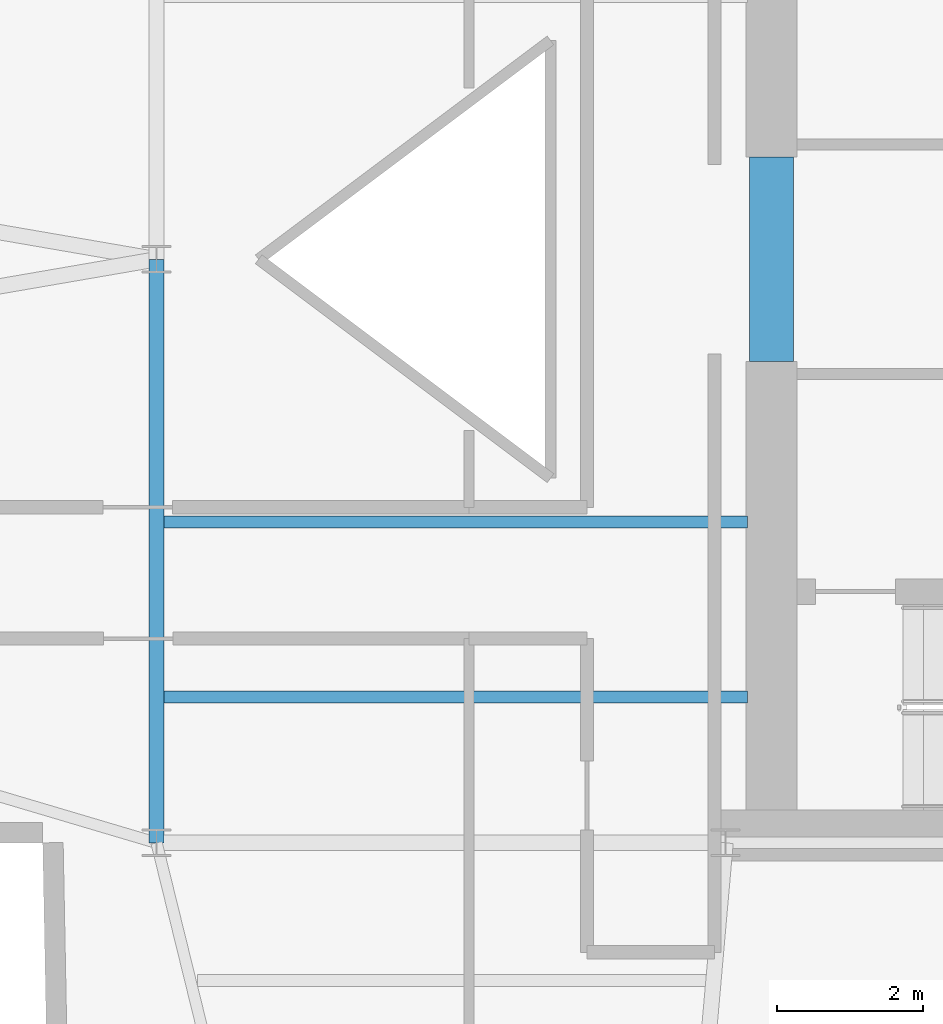
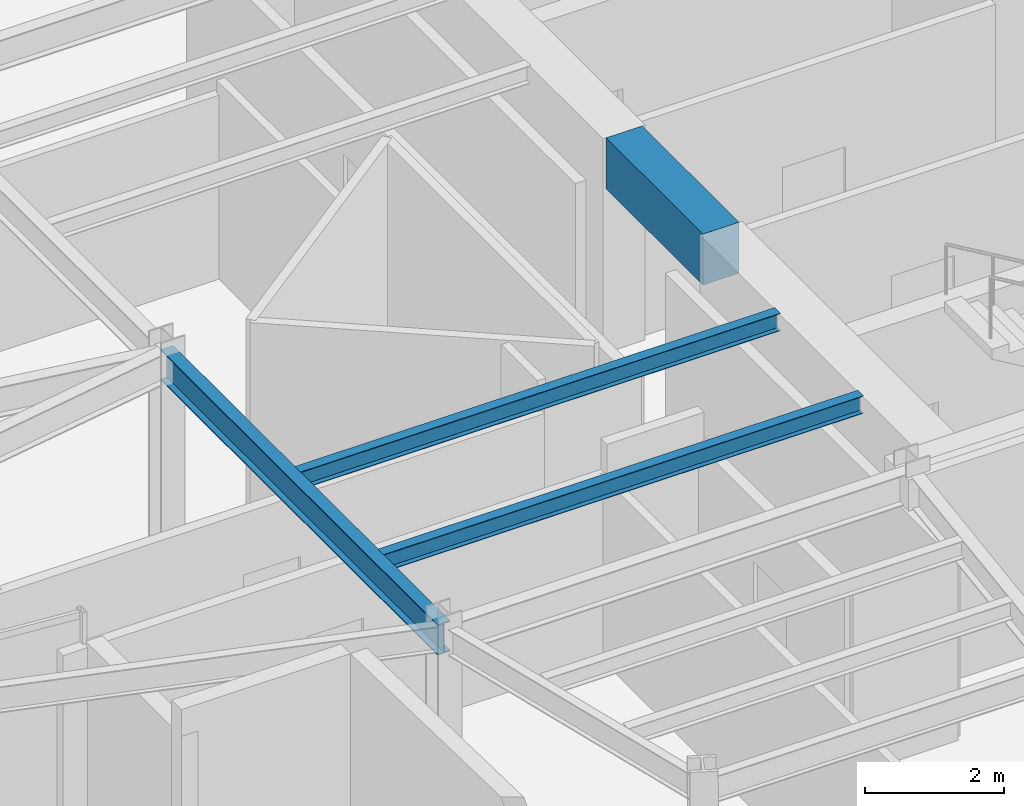
# One storey, part 7 of 21: 4 beams.
"""IFC4 building model written with IfcOpenShell, lengths in metres."""

from ifc_helpers import new_model, si_unit, direction, frame, origin, origin_2d, place, context, subcontext, project, spatial, rectangle, i_section, extrude, material, material_profile, profile_set, type_object, element, save


model = new_model("IFC4")

# Units and contexts
model_context = context("Model", 3, precision=1e-05, world=origin(), true_north=direction((0.0, 1.0)))
body_context = subcontext(model_context, "Body", "Model", "MODEL_VIEW")
ifc_project = project(units=[si_unit("LENGTHUNIT", "METRE"), si_unit("AREAUNIT", "SQUARE_METRE"), si_unit("VOLUMEUNIT", "CUBIC_METRE"), si_unit("PLANEANGLEUNIT", "RADIAN"), si_unit("MASSUNIT", "GRAM", prefix="KILO")], contexts=[model_context])

# Site, building, storey
site_placement = place(None, origin())
site = spatial("IfcSite", under=ifc_project, at=site_placement, CompositionType="ELEMENT")
building_placement = place(site_placement, origin())
building = spatial("IfcBuilding", under=site, at=building_placement, Name="Veymaron Broadcast Tower", CompositionType="ELEMENT")
storey_placement = place(building_placement, frame((0.0, 0.0, 232.35009765625)))
storey = spatial("IfcBuildingStorey", under=building, at=storey_placement, Name="L54", CompositionType="ELEMENT", Elevation=232.35009765625)

# Beams
ifc_material_1 = material(Name="Concrete C60/75", Category="concrete")
ifc_material_profile_1 = material_profile(ifc_material_1, rectangle(XDim=0.60009765625, YDim=0.89990234375, at=origin_2d()), Name="RC600X900")
ifc_profile_set_1 = profile_set([ifc_material_profile_1], Name="Concrete C60/75")
beam_type_1 = type_object("IfcBeamType", Name="BM-CB2", PredefinedType="LINTEL", material=ifc_profile_set_1)
beam_1_placement = place(storey_placement, frame((39.6298828125, 22.60009765625, 3.33984375), z_axis=(0.0, 1.0, 0.0), x_axis=(-1.0, 0.0, 0.0)))
element("IfcBeam", 1, at=beam_1_placement, inside=storey, type_object=beam_type_1, Name="L54 Core Wall west coupling beam", PredefinedType="LINTEL", context=body_context, shape_type="SweptSolid", body=[
    extrude(rectangle(XDim=0.60009765625, YDim=0.89990234375, at=origin_2d()), origin(), (0.0, 0.0, 1.0), 2.7998046875),
])
ifc_material_2 = material(Name="Structural steel ASTM A992 Gr 50", Category="steel")
ifc_material_profile_2 = material_profile(ifc_material_2, i_section(OverallWidth=0.2099609375, OverallDepth=0.537109375, WebThickness=0.010986328125, FlangeThickness=0.017333984375, at=origin_2d()), Name="W530X101")
ifc_profile_set_2 = profile_set([ifc_material_profile_2], Name="Structural steel ASTM A992 Gr 50")
beam_type_2 = type_object("IfcBeamType", Name="BM-FG3", PredefinedType="BEAM", material=ifc_profile_set_2)
beam_2_placement = place(storey_placement, frame((31.199951171875, 16.0, 3.521484375), z_axis=(0.0, 1.0, 0.0), x_axis=(-1.0, 0.0, 0.0)))
element("IfcBeam", 2, at=beam_2_placement, inside=storey, type_object=beam_type_2, Name="L54 primary structural floor girder", PredefinedType="BEAM", context=body_context, shape_type="SweptSolid", body=[
    extrude(i_section(OverallWidth=0.2099609375, OverallDepth=0.537109375, WebThickness=0.010986328125, FlangeThickness=0.017333984375, at=origin_2d()), origin(), (0.0, 0.0, 1.0), 8.0),
])
ifc_material_profile_3 = material_profile(ifc_material_2, i_section(OverallWidth=0.1650390625, OverallDepth=0.31005859375, WebThickness=0.005859375, FlangeThickness=0.009765625, at=origin_2d()), Name="W310X39")
ifc_profile_set_3 = profile_set([ifc_material_profile_3], Name="Structural steel ASTM A992 Gr 50")
beam_type_3 = type_object("IfcBeamType", Name="BM-JS3", PredefinedType="JOIST", material=ifc_profile_set_3)
for number, where, z_axis, x_axis, name in (
    (3, (31.300048828125, 18.0, 3.635009765625), (1.0, 0.0, 0.0), (0.0, 1.0, 0.0), "L54 Hub secondary joist 1"),
    (4, (31.300048828125, 20.39990234375, 3.635009765625), (1.0, 0.0, 0.0), (0.0, 1.0, 0.0), "L54 Hub secondary joist 2"),
):
    element("IfcBeam", number, at=place(storey_placement, frame(where, z_axis=z_axis, x_axis=x_axis)), inside=storey, type_object=beam_type_3, Name=name, PredefinedType="JOIST", context=body_context, shape_type="SweptSolid", body=[
        extrude(i_section(OverallWidth=0.1650390625, OverallDepth=0.31005859375, WebThickness=0.005859375, FlangeThickness=0.009765625, at=origin_2d()), origin(), (0.0, 0.0, 1.0), 8.0),
    ])

save(model, "model.ifc")
